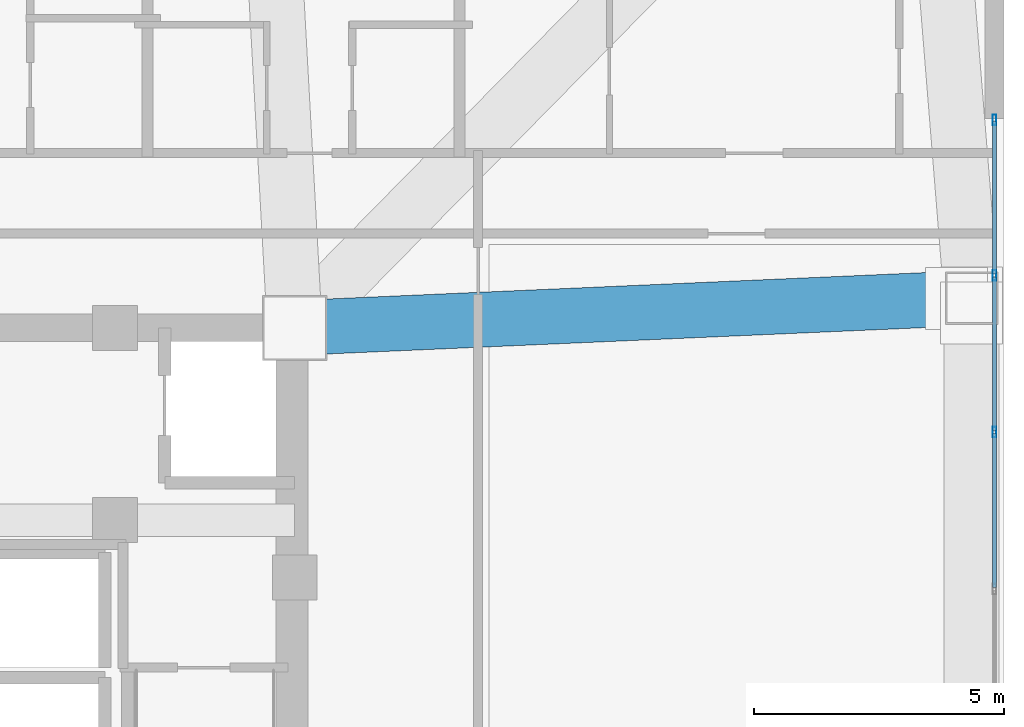
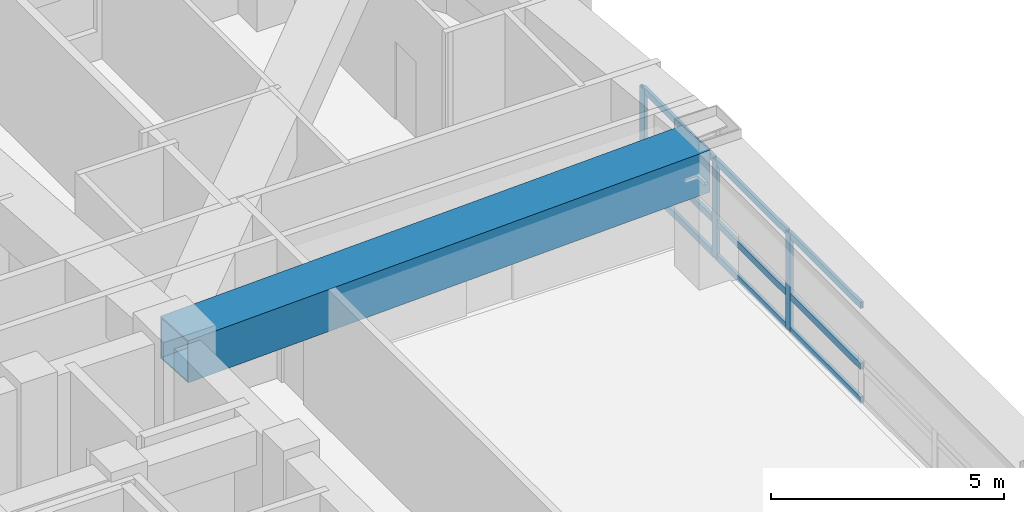
# One storey, part 5 of 16: 12 members, 1 beam, 1 element without a shape of its own.
"""IFC4 building model written with IfcOpenShell, lengths in metres."""

from ifc_helpers import new_model, si_unit, direction, frame, origin, origin_2d, place, context, subcontext, project, spatial, hollow_rectangle, extrude, material, layer, layer_set, material_profile, profile_set, type_object, element, aggregate, save


model = new_model("IFC4")

# Units and contexts
model_context = context("Model", 3, precision=1e-05, world=origin(), true_north=direction((0.0, 1.0)))
body_context = subcontext(model_context, "Body", "Model", "MODEL_VIEW")
ifc_project = project(units=[si_unit("LENGTHUNIT", "METRE"), si_unit("AREAUNIT", "SQUARE_METRE"), si_unit("VOLUMEUNIT", "CUBIC_METRE"), si_unit("PLANEANGLEUNIT", "RADIAN"), si_unit("MASSUNIT", "GRAM", prefix="KILO")], contexts=[model_context])

# Site, building, storey
site_placement = place(None, origin())
site = spatial("IfcSite", under=ifc_project, at=site_placement, CompositionType="ELEMENT")
building_placement = place(site_placement, origin())
building = spatial("IfcBuilding", under=site, at=building_placement, Name="Voryun Gate Residences", CompositionType="ELEMENT")
storey_placement = place(building_placement, frame((0.0, 0.0, 89.699951171875)))
storey = spatial("IfcBuildingStorey", under=building, at=storey_placement, Name="L21", CompositionType="ELEMENT", Elevation=89.699951171875)

# Beam
ifc_material_1 = material(Name="Steel SM420", Category="steel")
ifc_material_profile_1 = material_profile(ifc_material_1, hollow_rectangle(XDim=1.10009765625, YDim=1.10009765625, WallThickness=0.035888671875, at=origin_2d()), Name="BOX-1100x1100x36")
ifc_profile_set_1 = profile_set([ifc_material_profile_1], Name="Steel SM420")
beam_type = type_object("IfcBeamType", Name="BM_ARCH_RIB", PredefinedType="USERDEFINED", material=ifc_profile_set_1)
beam_placement = place(storey_placement, frame((19.199951171875, 7.39990234375, 3.10009765625), z_axis=(0.999026935295, 0.044104223775, 0.0), x_axis=(-0.044104223775, 0.999026935295, 0.0)))
element("IfcBeam", 1, at=beam_placement, inside=storey, type_object=beam_type, Name="BM-L21-RAD-E2", ObjectType="GIRDER", PredefinedType="USERDEFINED", context=body_context, shape_type="SweptSolid", body=[
    extrude(hollow_rectangle(XDim=1.10009765625, YDim=1.10009765625, WallThickness=0.035888671875, at=origin_2d()), origin(), (0.0, 0.0, 1.0), 13.26318359375),
])

# Curtain wall, members
ifc_material_2 = material(Name="Anodised aluminium", Category="aluminium")
ifc_layer = layer(ifc_material_2, 0.2099609375, Name="CW_SYS_SKYGARDEN_DARK_GLASS")
ifc_layer_set = layer_set([ifc_layer], Name="Anodised aluminium")
curtain_wall_type = type_object("IfcCurtainWallType", Name="CW_SYS_SKYGARDEN_DARK_GLASS", PredefinedType="NOTDEFINED", material=ifc_layer_set)
curtain_wall_placement = place(storey_placement, origin())
curtain_wall = element("IfcCurtainWall", 2, at=curtain_wall_placement, inside=storey, type_object=curtain_wall_type, Name="Curtain wall CW5-L21-SG-16", PredefinedType="NOTDEFINED")
ifc_material_3 = material(Name="Anodised aluminium", Category="aluminium")
ifc_material_profile_2 = material_profile(ifc_material_3, hollow_rectangle(XDim=0.074951171875, YDim=0.2099609375, WallThickness=0.0048828125, at=origin_2d()), Name="ALU-MULL-210x75x5")
ifc_profile_set_2 = profile_set([ifc_material_profile_2], Name="Anodised aluminium")
member_type_1 = type_object("IfcMemberType", Name="CW_MULL_SKY", PredefinedType="MULLION", material=ifc_profile_set_2)
member_1_placement = place(storey_placement, frame((33.2099609375, 11.56591796875, 0.0), z_axis=(0.0, 0.0, 1.0), x_axis=(1.0, 0.0, 0.0)))
member_1 = element("IfcMember", 3, at=member_1_placement, type_object=member_type_1, Name="CW5 mullion 1", PredefinedType="MULLION", context=body_context, shape_type="SweptSolid", body=[
    extrude(hollow_rectangle(XDim=0.074951171875, YDim=0.2099609375, WallThickness=0.0048828125, at=origin_2d()), origin(), (0.0, 0.0, 1.0), 2.5400390625),
])
member_2_placement = place(storey_placement, frame((33.2099609375, 8.454345703125, 0.0), z_axis=(0.0, 0.0, 1.0), x_axis=(1.0, 0.0, 0.0)))
member_2 = element("IfcMember", 4, at=member_2_placement, type_object=member_type_1, Name="CW5 mullion 2", PredefinedType="MULLION", context=body_context, shape_type="SweptSolid", body=[
    extrude(hollow_rectangle(XDim=0.074951171875, YDim=0.2099609375, WallThickness=0.0048828125, at=origin_2d()), origin(), (0.0, 0.0, 1.0), 2.5400390625),
])
member_3_placement = place(storey_placement, frame((33.2099609375, 5.3125, 0.0), z_axis=(0.0, 0.0, 1.0), x_axis=(1.0, 0.0, 0.0)))
member_3 = element("IfcMember", 5, at=member_3_placement, type_object=member_type_1, Name="CW5 mullion 3", PredefinedType="MULLION", context=body_context, shape_type="SweptSolid", body=[
    extrude(hollow_rectangle(XDim=0.074951171875, YDim=0.2099609375, WallThickness=0.0048828125, at=origin_2d()), origin(), (0.0, 0.0, 1.0), 2.5400390625),
])
ifc_material_4 = material(Name="Anodised aluminium", Category="aluminium")
ifc_material_profile_3 = material_profile(ifc_material_4, hollow_rectangle(XDim=0.074951171875, YDim=0.169921875, WallThickness=0.0048828125, at=origin_2d()), Name="ALU-TRAN-170x75x5")
ifc_profile_set_3 = profile_set([ifc_material_profile_3], Name="Anodised aluminium")
member_type_2 = type_object("IfcMemberType", Name="CW_TRAN_SKY", PredefinedType="USERDEFINED", material=ifc_profile_set_3)
member_4_placement = place(storey_placement, frame((33.2099609375, 11.535888671875, 0.030029296875), z_axis=(0.0, -1.0, 0.0), x_axis=(1.0, 0.0, 0.0)))
member_4 = element("IfcMember", 6, at=member_4_placement, type_object=member_type_2, Name="CW5 transom 1.1", ObjectType="TRANSOM", PredefinedType="USERDEFINED", context=body_context, shape_type="SweptSolid", body=[
    extrude(hollow_rectangle(XDim=0.074951171875, YDim=0.169921875, WallThickness=0.0048828125, at=origin_2d()), origin(), (0.0, 0.0, 1.0), 3.051513671875),
])
member_5_placement = place(storey_placement, frame((33.2099609375, 11.535888671875, 0.91455078125), z_axis=(0.0, -1.0, 0.0), x_axis=(1.0, 0.0, 0.0)))
member_5 = element("IfcMember", 7, at=member_5_placement, type_object=member_type_2, Name="CW5 transom 1.2", ObjectType="TRANSOM", PredefinedType="USERDEFINED", context=body_context, shape_type="SweptSolid", body=[
    extrude(hollow_rectangle(XDim=0.074951171875, YDim=0.169921875, WallThickness=0.0048828125, at=origin_2d()), origin(), (0.0, 0.0, 1.0), 3.051513671875),
])
member_6_placement = place(storey_placement, frame((33.2099609375, 11.535888671875, 2.510009765625), z_axis=(0.0, -1.0, 0.0), x_axis=(1.0, 0.0, 0.0)))
member_6 = element("IfcMember", 8, at=member_6_placement, type_object=member_type_2, Name="CW5 transom 1.3", ObjectType="TRANSOM", PredefinedType="USERDEFINED", context=body_context, shape_type="SweptSolid", body=[
    extrude(hollow_rectangle(XDim=0.074951171875, YDim=0.169921875, WallThickness=0.0048828125, at=origin_2d()), origin(), (0.0, 0.0, 1.0), 3.051513671875),
])
member_7_placement = place(storey_placement, frame((33.2099609375, 8.42431640625, 0.030029296875), z_axis=(0.0, -1.0, 0.0), x_axis=(1.0, 0.0, 0.0)))
member_7 = element("IfcMember", 9, at=member_7_placement, type_object=member_type_2, Name="CW5 transom 2.1", ObjectType="TRANSOM", PredefinedType="USERDEFINED", context=body_context, shape_type="SweptSolid", body=[
    extrude(hollow_rectangle(XDim=0.074951171875, YDim=0.169921875, WallThickness=0.0048828125, at=origin_2d()), origin(), (0.0, 0.0, 1.0), 3.081787109375),
])
member_8_placement = place(storey_placement, frame((33.2099609375, 8.42431640625, 0.91455078125), z_axis=(0.0, -1.0, 0.0), x_axis=(1.0, 0.0, 0.0)))
member_8 = element("IfcMember", 10, at=member_8_placement, type_object=member_type_2, Name="CW5 transom 2.2", ObjectType="TRANSOM", PredefinedType="USERDEFINED", context=body_context, shape_type="SweptSolid", body=[
    extrude(hollow_rectangle(XDim=0.074951171875, YDim=0.169921875, WallThickness=0.0048828125, at=origin_2d()), origin(), (0.0, 0.0, 1.0), 3.081787109375),
])
member_9_placement = place(storey_placement, frame((33.2099609375, 8.42431640625, 2.510009765625), z_axis=(0.0, -1.0, 0.0), x_axis=(1.0, 0.0, 0.0)))
member_9 = element("IfcMember", 11, at=member_9_placement, type_object=member_type_2, Name="CW5 transom 2.3", ObjectType="TRANSOM", PredefinedType="USERDEFINED", context=body_context, shape_type="SweptSolid", body=[
    extrude(hollow_rectangle(XDim=0.074951171875, YDim=0.169921875, WallThickness=0.0048828125, at=origin_2d()), origin(), (0.0, 0.0, 1.0), 3.081787109375),
])
member_10_placement = place(storey_placement, frame((33.2099609375, 5.282470703125, 0.030029296875), z_axis=(0.0, -1.0, 0.0), x_axis=(1.0, 0.0, 0.0)))
member_10 = element("IfcMember", 12, at=member_10_placement, type_object=member_type_2, Name="CW5 transom 3.1", ObjectType="TRANSOM", PredefinedType="USERDEFINED", context=body_context, shape_type="SweptSolid", body=[
    extrude(hollow_rectangle(XDim=0.074951171875, YDim=0.169921875, WallThickness=0.0048828125, at=origin_2d()), origin(), (0.0, 0.0, 1.0), 3.08154296875),
])
member_11_placement = place(storey_placement, frame((33.2099609375, 5.282470703125, 0.91455078125), z_axis=(0.0, -1.0, 0.0), x_axis=(1.0, 0.0, 0.0)))
member_11 = element("IfcMember", 13, at=member_11_placement, type_object=member_type_2, Name="CW5 transom 3.2", ObjectType="TRANSOM", PredefinedType="USERDEFINED", context=body_context, shape_type="SweptSolid", body=[
    extrude(hollow_rectangle(XDim=0.074951171875, YDim=0.169921875, WallThickness=0.0048828125, at=origin_2d()), origin(), (0.0, 0.0, 1.0), 3.08154296875),
])
member_12_placement = place(storey_placement, frame((33.2099609375, 5.282470703125, 2.510009765625), z_axis=(0.0, -1.0, 0.0), x_axis=(1.0, 0.0, 0.0)))
member_12 = element("IfcMember", 14, at=member_12_placement, type_object=member_type_2, Name="CW5 transom 3.3", ObjectType="TRANSOM", PredefinedType="USERDEFINED", context=body_context, shape_type="SweptSolid", body=[
    extrude(hollow_rectangle(XDim=0.074951171875, YDim=0.169921875, WallThickness=0.0048828125, at=origin_2d()), origin(), (0.0, 0.0, 1.0), 3.08154296875),
])
aggregate(curtain_wall, [member_1, member_2, member_3, member_4, member_5, member_6, member_7, member_8, member_9, member_10, member_11, member_12])

save(model, "model.ifc")
